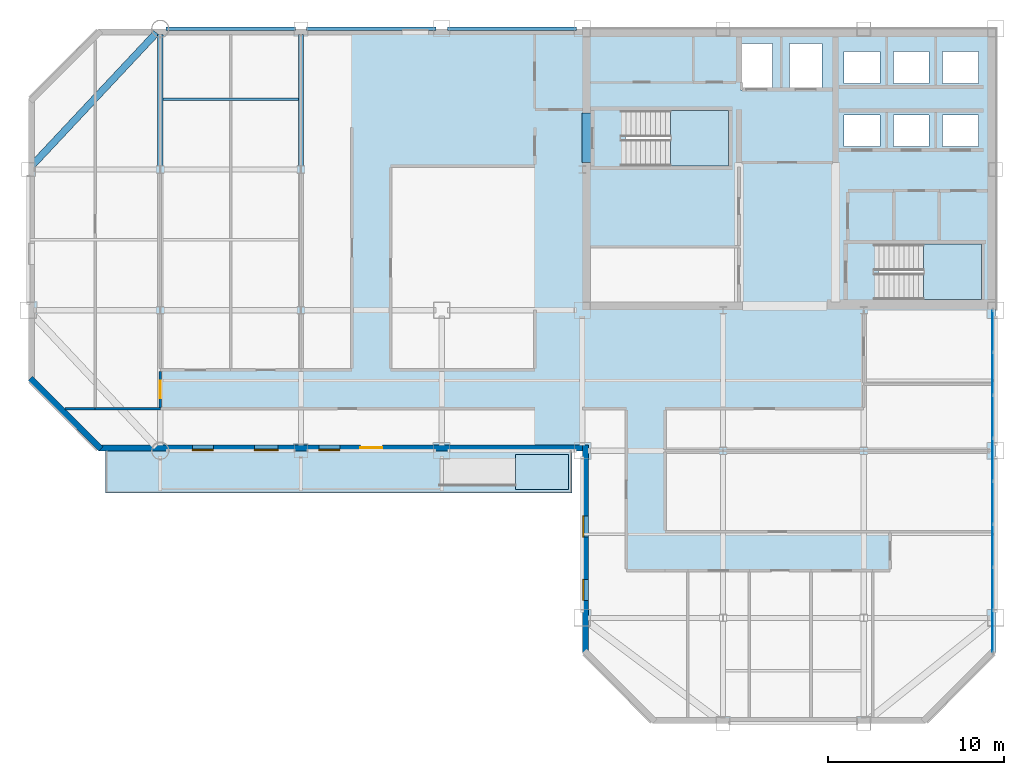
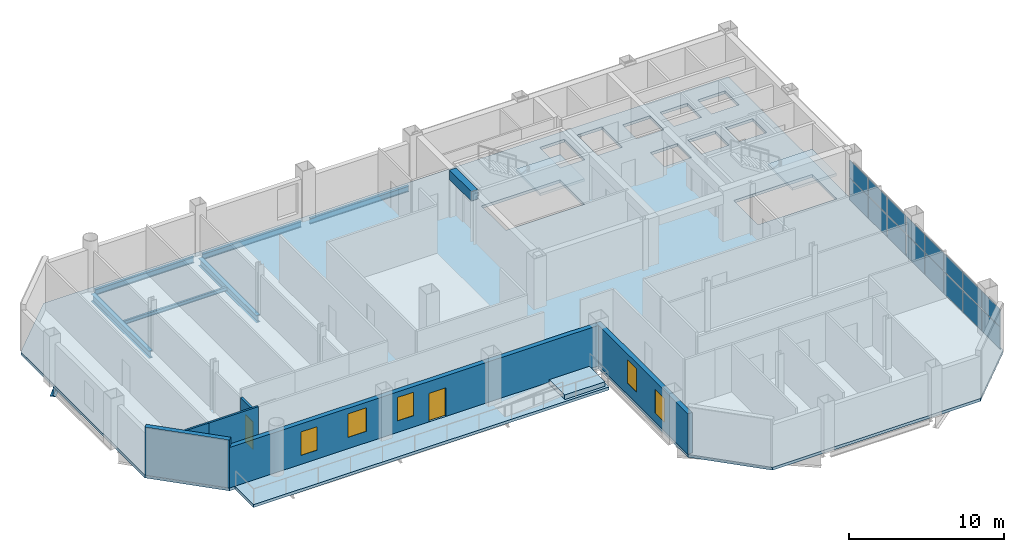
# One storey, part 7 of 14: 16 plates, 8 beams, 6 walls, 5 slabs, 5 windows, 2 doors, 7 openings, 4 elements without a shape of their own.
"""IFC4 building model written with IfcOpenShell, lengths in metres."""

from ifc_helpers import new_model, si_unit, direction, frame, frame_2d, origin, origin_2d, place, context, subcontext, project, spatial, polyline, rectangle, i_section, outline, extrude, material, layer, layer_set, material_profile, profile_set, type_object, element, fill, aggregate, save


model = new_model("IFC4")

# Units and contexts
model_context = context("Model", 3, precision=1e-05, world=origin(), true_north=direction((0.0, 1.0)))
body_context = subcontext(model_context, "Body", "Model", "MODEL_VIEW")
ifc_project = project(units=[si_unit("LENGTHUNIT", "METRE"), si_unit("AREAUNIT", "SQUARE_METRE"), si_unit("VOLUMEUNIT", "CUBIC_METRE"), si_unit("PLANEANGLEUNIT", "RADIAN"), si_unit("MASSUNIT", "GRAM", prefix="KILO")], contexts=[model_context])

# Site, building, storey
site_placement = place(None, origin())
site = spatial("IfcSite", under=ifc_project, at=site_placement, CompositionType="ELEMENT")
building_placement = place(site_placement, origin())
building = spatial("IfcBuilding", under=site, at=building_placement, Name="Qianrong Seaharbour Tower", CompositionType="ELEMENT")
storey_placement = place(building_placement, frame((0.0, 0.0, 209.800048828125)))
storey = spatial("IfcBuildingStorey", under=building, at=storey_placement, Name="L50", CompositionType="ELEMENT", Elevation=209.800048828125)

# Beams
ifc_material_1 = material(Name="Structural steel SN490B", Category="steel")
ifc_material_profile_1 = material_profile(ifc_material_1, i_section(OverallWidth=0.300048828125, OverallDepth=0.587890625, WebThickness=0.011962890625, FlangeThickness=0.02001953125, FilletRadius=0.02392578125, at=origin_2d()), Name="H588x300x12x20")
ifc_profile_set_1 = profile_set([ifc_material_profile_1], Name="Structural steel SN490B")
beam_type_1 = type_object("IfcBeamType", Name="BM-G-588", PredefinedType="BEAM", material=ifc_profile_set_1)
for number, where, z_axis, x_axis, name in (
    (1, (16.5, 44.199951171875, -0.51904296875), (0.0, 1.0, 0.0), (-1.0, 0.0, 0.0), "L50 Primary Girder G3 GG-GH"),
    (2, (24.5, 44.199951171875, -0.51904296875), (0.0, 1.0, 0.0), (-1.0, 0.0, 0.0), "L50 Primary Girder G4 GG-GH"),
):
    element("IfcBeam", number, at=place(storey_placement, frame(where, z_axis=z_axis, x_axis=x_axis)), inside=storey, type_object=beam_type_1, Name=name, PredefinedType="BEAM", context=body_context, shape_type="SweptSolid", body=[
        extrude(i_section(OverallWidth=0.300048828125, OverallDepth=0.587890625, WebThickness=0.011962890625, FlangeThickness=0.02001953125, FilletRadius=0.02392578125, at=origin_2d()), origin(), (0.0, 0.0, 1.0), 7.47998046875),
    ])
ifc_material_2 = material(Name="Structural steel SN400B", Category="steel")
ifc_material_profile_2 = material_profile(ifc_material_2, i_section(OverallWidth=0.14990234375, OverallDepth=0.300048828125, WebThickness=0.006591796875, FlangeThickness=0.009033203125, FilletRadius=0.012939453125, at=origin_2d()), Name="H300x150x6.5x9")
ifc_profile_set_2 = profile_set([ifc_material_profile_2], Name="Structural steel SN400B")
beam_type_2 = type_object("IfcBeamType", Name="BM-J-300", PredefinedType="JOIST", material=ifc_profile_set_2)
beam_1_placement = place(storey_placement, frame((16.64990234375, 48.0, -0.375), z_axis=(1.0, 0.0, 0.0), x_axis=(0.0, 1.0, 0.0)))
element("IfcBeam", 3, at=beam_1_placement, inside=storey, type_object=beam_type_2, Name="L50 Composite Floor Joist G3-G4/GG-GH", PredefinedType="JOIST", context=body_context, shape_type="SweptSolid", body=[
    extrude(i_section(OverallWidth=0.14990234375, OverallDepth=0.300048828125, WebThickness=0.006591796875, FlangeThickness=0.009033203125, FilletRadius=0.012939453125, at=origin_2d()), origin(), (0.0, 0.0, 1.0), 7.7001953125),
])
ifc_material_3 = material(Name="Concrete C60/75", Category="concrete")
ifc_material_profile_3 = material_profile(ifc_material_3, rectangle(XDim=0.5, YDim=0.75, at=origin_2d()), Name="RC500x750")
ifc_profile_set_3 = profile_set([ifc_material_profile_3], Name="Concrete C60/75")
beam_type_3 = type_object("IfcBeamType", Name="BM-LINTEL-750", PredefinedType="LINTEL", material=ifc_profile_set_3)
beam_2_placement = place(storey_placement, frame((40.72998046875, 44.39990234375, 3.39990234375), z_axis=(0.0, 1.0, 0.0), x_axis=(-1.0, 0.0, 0.0)))
element("IfcBeam", 4, at=beam_2_placement, inside=storey, type_object=beam_type_3, Name="L50 Core Coupling Lintel Beam West", PredefinedType="LINTEL", context=body_context, shape_type="SweptSolid", body=[
    extrude(rectangle(XDim=0.5, YDim=0.75, at=origin_2d()), origin(), (0.0, 0.0, 1.0), 2.800048828125),
])
ifc_material_profile_4 = material_profile(ifc_material_2, i_section(OverallWidth=0.199951171875, OverallDepth=0.449951171875, WebThickness=0.009033203125, FlangeThickness=0.013916015625, FilletRadius=0.01806640625, at=origin_2d()), Name="H450x200x9x14")
ifc_profile_set_4 = profile_set([ifc_material_profile_4], Name="Structural steel SN400B")
beam_type_4 = type_object("IfcBeamType", Name="BM-SP-450", PredefinedType="SPANDREL", material=ifc_profile_set_4)
for number, where, z_axis, x_axis, name in (
    (5, (16.820068359375, 52.0, -0.449951171875), (1.0, 0.0, 0.0), (0.0, 1.0, 0.0), "L50 Spandrel Girder GH G3-G4"),
    (6, (24.820068359375, 52.0, -0.449951171875), (1.0, 0.0, 0.0), (0.0, 1.0, 0.0), "L50 Spandrel Girder GH G4-G5"),
    (7, (32.820068359375, 52.0, -0.449951171875), (1.0, 0.0, 0.0), (0.0, 1.0, 0.0), "L50 Spandrel Girder GH G5-G6"),
):
    element("IfcBeam", number, at=place(storey_placement, frame(where, z_axis=z_axis, x_axis=x_axis)), inside=storey, type_object=beam_type_4, Name=name, PredefinedType="SPANDREL", context=body_context, shape_type="SweptSolid", body=[
        extrude(i_section(OverallWidth=0.199951171875, OverallDepth=0.449951171875, WebThickness=0.009033203125, FlangeThickness=0.013916015625, FilletRadius=0.01806640625, at=origin_2d()), origin(), (0.0, 0.0, 1.0), 7.35986328125),
    ])
ifc_material_profile_5 = material_profile(ifc_material_1, i_section(OverallWidth=0.39990234375, OverallDepth=1.10009765625, WebThickness=0.02001953125, FlangeThickness=0.035888671875, at=origin_2d()), Name="BH1100x400x20x36")
ifc_profile_set_5 = profile_set([ifc_material_profile_5], Name="Structural steel SN490B")
beam_type_5 = type_object("IfcBeamType", Name="BM-TG-1100", PredefinedType="BEAM", material=ifc_profile_set_5)
beam_3_placement = place(storey_placement, frame((16.28125, 51.7666015625, -0.775146484375), z_axis=(-0.683947420573, -0.729531305628, 0.0), x_axis=(0.729531305628, -0.683947420573, 0.0)))
element("IfcBeam", 8, at=beam_3_placement, inside=storey, type_object=beam_type_5, Name="L50 Chamfer Corner Spandrel Girder G2/GH", PredefinedType="BEAM", context=body_context, shape_type="SweptSolid", body=[
    extrude(i_section(OverallWidth=0.39990234375, OverallDepth=1.10009765625, WebThickness=0.02001953125, FlangeThickness=0.035888671875, at=origin_2d()), origin(), (0.0, 0.0, 1.0), 10.326171875),
])

# Curtain wall, plates
ifc_material_4 = material(Name="Anodised aluminium 6063-T6 and laminated low-e glass", Category="aluminium")
ifc_layer_1 = layer(ifc_material_4, 0.195068359375)
ifc_layer_set_1 = layer_set([ifc_layer_1], Name="Anodised aluminium 6063-T6 and laminated low-e glass")
curtain_wall_type = type_object("IfcCurtainWallType", Name="CW-SYS-3", PredefinedType="NOTDEFINED", material=ifc_layer_set_1)
curtain_wall_placement = place(storey_placement, origin())
curtain_wall = element("IfcCurtainWall", 9, at=curtain_wall_placement, inside=storey, type_object=curtain_wall_type, Name="L50 Sky-Garden Wintergarden Curtain Wall EAST_WING", PredefinedType="NOTDEFINED")
ifc_material_5 = material(Name="Laminated solar-control low-e glass", Category="glass")
ifc_layer_2 = layer(ifc_material_5, 0.031982421875)
ifc_layer_set_2 = layer_set([ifc_layer_2], Name="Laminated solar-control low-e glass")
plate_type = type_object("IfcPlateType", Name="CW-PAN-VISION-32", PredefinedType="CURTAIN_PANEL", material=ifc_layer_set_2)
plate_1_placement = place(storey_placement, frame((63.830078125, 34.810546875, 0.06494140625), z_axis=(0.0, 0.0, 1.0), x_axis=(0.0, -1.0, 0.0)))
plate_1 = element("IfcPlate", 10, at=plate_1_placement, type_object=plate_type, Name="CW-3 panel 1.1", PredefinedType="CURTAIN_PANEL", context=body_context, shape_type="SweptSolid", body=[
    extrude(rectangle(XDim=2.3388671875, YDim=0.031982421875, at=origin_2d()), origin(), (0.0, 0.0, 1.0), 1.709228515625),
])
plate_2_placement = place(storey_placement, frame((63.830078125, 34.810546875, 1.83935546875), z_axis=(0.0, 0.0, 1.0), x_axis=(0.0, -1.0, 0.0)))
plate_2 = element("IfcPlate", 11, at=plate_2_placement, type_object=plate_type, Name="CW-3 panel 1.2", PredefinedType="CURTAIN_PANEL", context=body_context, shape_type="SweptSolid", body=[
    extrude(rectangle(XDim=2.3388671875, YDim=0.031982421875, at=origin_2d()), origin(), (0.0, 0.0, 1.0), 1.380615234375),
])
plate_3_placement = place(storey_placement, frame((63.830078125, 32.38427734375, 0.06494140625), z_axis=(0.0, 0.0, 1.0), x_axis=(0.0, -1.0, 0.0)))
plate_3 = element("IfcPlate", 12, at=plate_3_placement, type_object=plate_type, Name="CW-3 panel 2.1", PredefinedType="CURTAIN_PANEL", context=body_context, shape_type="SweptSolid", body=[
    extrude(rectangle(XDim=2.373779296875, YDim=0.031982421875, at=origin_2d()), origin(), (0.0, 0.0, 1.0), 1.709228515625),
])
plate_4_placement = place(storey_placement, frame((63.830078125, 32.38427734375, 1.83935546875), z_axis=(0.0, 0.0, 1.0), x_axis=(0.0, -1.0, 0.0)))
plate_4 = element("IfcPlate", 13, at=plate_4_placement, type_object=plate_type, Name="CW-3 panel 2.2", PredefinedType="CURTAIN_PANEL", context=body_context, shape_type="SweptSolid", body=[
    extrude(rectangle(XDim=2.373779296875, YDim=0.031982421875, at=origin_2d()), origin(), (0.0, 0.0, 1.0), 1.380615234375),
])
plate_5_placement = place(storey_placement, frame((63.830078125, 29.940673828125, 0.06494140625), z_axis=(0.0, 0.0, 1.0), x_axis=(0.0, -1.0, 0.0)))
plate_5 = element("IfcPlate", 14, at=plate_5_placement, type_object=plate_type, Name="CW-3 panel 3.1", PredefinedType="CURTAIN_PANEL", context=body_context, shape_type="SweptSolid", body=[
    extrude(rectangle(XDim=2.373779296875, YDim=0.031982421875, at=origin_2d()), origin(), (0.0, 0.0, 1.0), 1.709228515625),
])
plate_6_placement = place(storey_placement, frame((63.830078125, 29.940673828125, 1.83935546875), z_axis=(0.0, 0.0, 1.0), x_axis=(0.0, -1.0, 0.0)))
plate_6 = element("IfcPlate", 15, at=plate_6_placement, type_object=plate_type, Name="CW-3 panel 3.2", PredefinedType="CURTAIN_PANEL", context=body_context, shape_type="SweptSolid", body=[
    extrude(rectangle(XDim=2.373779296875, YDim=0.031982421875, at=origin_2d()), origin(), (0.0, 0.0, 1.0), 1.380615234375),
])
plate_7_placement = place(storey_placement, frame((63.830078125, 27.496826171875, 0.06494140625), z_axis=(0.0, 0.0, 1.0), x_axis=(0.0, -1.0, 0.0)))
plate_7 = element("IfcPlate", 16, at=plate_7_placement, type_object=plate_type, Name="CW-3 panel 4.1", PredefinedType="CURTAIN_PANEL", context=body_context, shape_type="SweptSolid", body=[
    extrude(rectangle(XDim=2.373779296875, YDim=0.031982421875, at=origin_2d()), origin(), (0.0, 0.0, 1.0), 1.709228515625),
])
plate_8_placement = place(storey_placement, frame((63.830078125, 27.496826171875, 1.83935546875), z_axis=(0.0, 0.0, 1.0), x_axis=(0.0, -1.0, 0.0)))
plate_8 = element("IfcPlate", 17, at=plate_8_placement, type_object=plate_type, Name="CW-3 panel 4.2", PredefinedType="CURTAIN_PANEL", context=body_context, shape_type="SweptSolid", body=[
    extrude(rectangle(XDim=2.373779296875, YDim=0.031982421875, at=origin_2d()), origin(), (0.0, 0.0, 1.0), 1.380615234375),
])
plate_9_placement = place(storey_placement, frame((63.830078125, 25.05322265625, 0.06494140625), z_axis=(0.0, 0.0, 1.0), x_axis=(0.0, -1.0, 0.0)))
plate_9 = element("IfcPlate", 18, at=plate_9_placement, type_object=plate_type, Name="CW-3 panel 5.1", PredefinedType="CURTAIN_PANEL", context=body_context, shape_type="SweptSolid", body=[
    extrude(rectangle(XDim=2.373779296875, YDim=0.031982421875, at=origin_2d()), origin(), (0.0, 0.0, 1.0), 1.709228515625),
])
plate_10_placement = place(storey_placement, frame((63.830078125, 25.05322265625, 1.83935546875), z_axis=(0.0, 0.0, 1.0), x_axis=(0.0, -1.0, 0.0)))
plate_10 = element("IfcPlate", 19, at=plate_10_placement, type_object=plate_type, Name="CW-3 panel 5.2", PredefinedType="CURTAIN_PANEL", context=body_context, shape_type="SweptSolid", body=[
    extrude(rectangle(XDim=2.373779296875, YDim=0.031982421875, at=origin_2d()), origin(), (0.0, 0.0, 1.0), 1.380615234375),
])
plate_11_placement = place(storey_placement, frame((63.830078125, 22.609375, 0.06494140625), z_axis=(0.0, 0.0, 1.0), x_axis=(0.0, -1.0, 0.0)))
plate_11 = element("IfcPlate", 20, at=plate_11_placement, type_object=plate_type, Name="CW-3 panel 6.1", PredefinedType="CURTAIN_PANEL", context=body_context, shape_type="SweptSolid", body=[
    extrude(rectangle(XDim=2.373779296875, YDim=0.031982421875, at=origin_2d()), origin(), (0.0, 0.0, 1.0), 1.709228515625),
])
plate_12_placement = place(storey_placement, frame((63.830078125, 22.609375, 1.83935546875), z_axis=(0.0, 0.0, 1.0), x_axis=(0.0, -1.0, 0.0)))
plate_12 = element("IfcPlate", 21, at=plate_12_placement, type_object=plate_type, Name="CW-3 panel 6.2", PredefinedType="CURTAIN_PANEL", context=body_context, shape_type="SweptSolid", body=[
    extrude(rectangle(XDim=2.373779296875, YDim=0.031982421875, at=origin_2d()), origin(), (0.0, 0.0, 1.0), 1.380615234375),
])
plate_13_placement = place(storey_placement, frame((63.830078125, 20.16552734375, 0.06494140625), z_axis=(0.0, 0.0, 1.0), x_axis=(0.0, -1.0, 0.0)))
plate_13 = element("IfcPlate", 22, at=plate_13_placement, type_object=plate_type, Name="CW-3 panel 7.1", PredefinedType="CURTAIN_PANEL", context=body_context, shape_type="SweptSolid", body=[
    extrude(rectangle(XDim=2.373779296875, YDim=0.031982421875, at=origin_2d()), origin(), (0.0, 0.0, 1.0), 1.709228515625),
])
plate_14_placement = place(storey_placement, frame((63.830078125, 20.16552734375, 1.83935546875), z_axis=(0.0, 0.0, 1.0), x_axis=(0.0, -1.0, 0.0)))
plate_14 = element("IfcPlate", 23, at=plate_14_placement, type_object=plate_type, Name="CW-3 panel 7.2", PredefinedType="CURTAIN_PANEL", context=body_context, shape_type="SweptSolid", body=[
    extrude(rectangle(XDim=2.373779296875, YDim=0.031982421875, at=origin_2d()), origin(), (0.0, 0.0, 1.0), 1.380615234375),
])
plate_15_placement = place(storey_placement, frame((63.830078125, 17.7392578125, 0.06494140625), z_axis=(0.0, 0.0, 1.0), x_axis=(0.0, -1.0, 0.0)))
plate_15 = element("IfcPlate", 24, at=plate_15_placement, type_object=plate_type, Name="CW-3 panel 8.1", PredefinedType="CURTAIN_PANEL", context=body_context, shape_type="SweptSolid", body=[
    extrude(rectangle(XDim=2.3388671875, YDim=0.031982421875, at=origin_2d()), origin(), (0.0, 0.0, 1.0), 1.709228515625),
])
plate_16_placement = place(storey_placement, frame((63.830078125, 17.7392578125, 1.83935546875), z_axis=(0.0, 0.0, 1.0), x_axis=(0.0, -1.0, 0.0)))
plate_16 = element("IfcPlate", 25, at=plate_16_placement, type_object=plate_type, Name="CW-3 panel 8.2", PredefinedType="CURTAIN_PANEL", context=body_context, shape_type="SweptSolid", body=[
    extrude(rectangle(XDim=2.3388671875, YDim=0.031982421875, at=origin_2d()), origin(), (0.0, 0.0, 1.0), 1.380615234375),
])
aggregate(curtain_wall, [plate_1, plate_2, plate_3, plate_4, plate_5, plate_6, plate_7, plate_8, plate_9, plate_10, plate_11, plate_12, plate_13, plate_14, plate_15, plate_16])

# Ramp, slab
ifc_material_6 = material(Name="White architectural precast concrete C45/55", Category="concrete")
ramp_type = type_object("IfcRampType", Name="RAMP-RIBBON-GARDEN", PredefinedType="STRAIGHT_RUN_RAMP", material=ifc_material_6)
ramp_placement = place(storey_placement, origin())
ramp = element("IfcRamp", 26, at=ramp_placement, inside=storey, type_object=ramp_type, Name="L50 Harbourfront Garden Ribbon Ramp", PredefinedType="STRAIGHT_RUN_RAMP")
ifc_layer_3 = layer(ifc_material_6, 0.360107421875)
ifc_layer_set_3 = layer_set([ifc_layer_3], Name="White architectural precast concrete C45/55")
slab_type_1 = type_object("IfcSlabType", Name="SLAB-RAMP-LANDING-220", PredefinedType="LANDING", material=ifc_layer_set_3)
slab_1_placement = place(storey_placement, origin())
slab_1 = element("IfcSlab", 27, at=slab_1_placement, type_object=slab_type_1, Name="L50 Harbourfront Ribbon Raised Garden Landing", PredefinedType="LANDING", context=body_context, shape_type="SweptSolid", body=[
    extrude(outline(polyline([(36.699951171875, 25.800048828125), (39.699951171875, 25.800048828125), (39.699951171875, 27.800048828125), (36.699951171875, 27.800048828125), (36.699951171875, 25.800048828125)])), origin(), (0.0, 0.0, 1.0), 0.35986328125),
])
aggregate(ramp, [slab_1])

# Slab
ifc_layer_4 = layer(ifc_material_6, 0.22509765625)
ifc_layer_set_4 = layer_set([ifc_layer_4], Name="White architectural precast concrete C45/55")
slab_type_2 = type_object("IfcSlabType", Name="SLAB-RIBBON-225", PredefinedType="FLOOR", material=ifc_layer_set_4)
slab_2_placement = place(storey_placement, frame((0.0, 0.0, -0.22509765625)))
element("IfcSlab", 28, at=slab_2_placement, inside=storey, type_object=slab_type_2, Name="L50 Harbourfront White Precast Ribbon Gallery Slab", PredefinedType="FLOOR", context=body_context, shape_type="SweptSolid", body=[
    extrude(outline(polyline([(13.39990234375, 25.60009765625), (39.89990234375, 25.60009765625), (39.89990234375, 28.0), (13.39990234375, 28.0), (13.39990234375, 25.60009765625)])), origin(), (0.0, 0.0, 1.0), 0.22509765625),
])

# Stair, slab
ifc_material_7 = material(Name="Concrete C50/60", Category="concrete")
stair_type = type_object("IfcStairType", Name="STAIR-DOGLEG-1500-R22", PredefinedType="HALF_TURN_STAIR", material=ifc_material_7)
stair_1_placement = place(storey_placement, origin())
stair_1 = element("IfcStair", 29, at=stair_1_placement, inside=storey, type_object=stair_type, Name="L50 Protected Escape Stair ST-1", PredefinedType="HALF_TURN_STAIR")
ifc_layer_5 = layer(ifc_material_7, 0.199951171875)
ifc_layer_set_5 = layer_set([ifc_layer_5], Name="Concrete C50/60")
slab_type_3 = type_object("IfcSlabType", Name="SLAB-STAIR-LANDING-200", PredefinedType="LANDING", material=ifc_layer_set_5)
slab_3_placement = place(storey_placement, frame((0.0, 0.0, 1.800048828125)))
slab_3 = element("IfcSlab", 30, at=slab_3_placement, type_object=slab_type_3, Name="ST-1 landing 1", PredefinedType="LANDING", context=body_context, shape_type="SweptSolid", body=[
    extrude(outline(polyline([(45.5, 44.199951171875), (48.800048828125, 44.199951171875), (48.800048828125, 47.35009765625), (45.5, 47.35009765625), (45.5, 44.199951171875)])), origin(), (0.0, 0.0, 1.0), 0.199951171875),
])
aggregate(stair_1, [slab_3])

stair_2_placement = place(storey_placement, origin())
stair_2 = element("IfcStair", 31, at=stair_2_placement, inside=storey, type_object=stair_type, Name="L50 Protected Escape Stair ST-2", PredefinedType="HALF_TURN_STAIR")
slab_4_placement = place(storey_placement, frame((0.0, 0.0, 1.800048828125)))
slab_4 = element("IfcSlab", 32, at=slab_4_placement, type_object=slab_type_3, Name="ST-2 landing 1", PredefinedType="LANDING", context=body_context, shape_type="SweptSolid", body=[
    extrude(outline(polyline([(59.89990234375, 36.60009765625), (63.199951171875, 36.60009765625), (63.199951171875, 39.75), (59.89990234375, 39.75), (59.89990234375, 36.60009765625)])), origin(), (0.0, 0.0, 1.0), 0.199951171875),
])
aggregate(stair_2, [slab_4])

# Slab
ifc_layer_6 = layer(ifc_material_7, 0.22509765625)
ifc_layer_set_6 = layer_set([ifc_layer_6], Name="Concrete C50/60")
slab_type_4 = type_object("IfcSlabType", Name="SLAB-Z3-225", PredefinedType="FLOOR", material=ifc_layer_set_6)
slab_5_placement = place(storey_placement, frame((0.0, 0.0, -0.22509765625)))
element("IfcSlab", 33, at=slab_5_placement, inside=storey, type_object=slab_type_4, Name="L50 Structural Floor Slab", PredefinedType="FLOOR", context=body_context, shape_type="SweptSolid", body=[
    extrude(outline(polyline([(44.5, 12.5), (60.0, 12.5), (64.0, 16.5), (64.0, 52.0), (13.0, 52.0), (9.0, 48.0), (9.0, 32.0), (13.0, 28.0), (40.5, 28.0), (40.5, 16.5), (44.5, 12.5)]), holes=[polyline([(42.93994140625, 44.199951171875), (42.93994140625, 47.35009765625), (48.800048828125, 47.35009765625), (48.800048828125, 44.199951171875), (42.93994140625, 44.199951171875)]), polyline([(57.340087890625, 36.60009765625), (57.340087890625, 39.75), (63.199951171875, 39.75), (63.199951171875, 36.60009765625), (57.340087890625, 36.60009765625)]), polyline([(49.47998046875, 48.530029296875), (49.47998046875, 51.169921875), (51.320068359375, 51.169921875), (51.320068359375, 48.530029296875), (49.47998046875, 48.530029296875)]), polyline([(52.280029296875, 48.530029296875), (52.280029296875, 51.169921875), (54.1201171875, 51.169921875), (54.1201171875, 48.530029296875), (52.280029296875, 48.530029296875)]), polyline([(55.3798828125, 45.300048828125), (55.3798828125, 47.10009765625), (57.419921875, 47.10009765625), (57.419921875, 45.300048828125), (55.3798828125, 45.300048828125)]), polyline([(58.179931640625, 45.300048828125), (58.179931640625, 47.10009765625), (60.219970703125, 47.10009765625), (60.219970703125, 45.300048828125), (58.179931640625, 45.300048828125)]), polyline([(60.97998046875, 45.300048828125), (60.97998046875, 47.10009765625), (63.02001953125, 47.10009765625), (63.02001953125, 45.300048828125), (60.97998046875, 45.300048828125)]), polyline([(55.3798828125, 48.89990234375), (55.3798828125, 50.699951171875), (57.419921875, 50.699951171875), (57.419921875, 48.89990234375), (55.3798828125, 48.89990234375)]), polyline([(58.179931640625, 48.89990234375), (58.179931640625, 50.699951171875), (60.219970703125, 50.699951171875), (60.219970703125, 48.89990234375), (58.179931640625, 48.89990234375)]), polyline([(60.97998046875, 48.89990234375), (60.97998046875, 50.699951171875), (63.02001953125, 50.699951171875), (63.02001953125, 48.89990234375), (60.97998046875, 48.89990234375)])]), origin(), (0.0, 0.0, 1.0), 0.22509765625),
])

# Wall, opening, door
ifc_material_8 = material(Name="Fire-rated acoustic gypsum board partition")
ifc_layer_7 = layer(ifc_material_8, 0.1650390625)
ifc_layer_set_7 = layer_set([ifc_layer_7], Name="Fire-rated acoustic gypsum board partition")
wall_type_1 = type_object("IfcWallType", Name="WALL-CORR-PART-165", PredefinedType="PARTITIONING", material=ifc_layer_set_7)
wall_1_placement = place(storey_placement, frame((16.5, 30.474609375, 0.0), z_axis=(0.0, 0.0, 1.0), x_axis=(0.0, 1.0, 0.0)))
wall_1 = element("IfcWall", 34, at=wall_1_placement, inside=storey, type_object=wall_type_1, Name="L50 Interior Partition Wall 018", PredefinedType="PARTITIONING", context=body_context, shape_type="SweptSolid", body=[
    extrude(rectangle(XDim=2.05078125, YDim=0.1650390625, at=frame_2d((1.025390625, 0.0))), origin(), (0.0, 0.0, 1.0), 3.178955078125),
])
opening_1_placement = place(wall_1_placement, frame((0.525390625, 0.0, 0.0)))
opening_1 = element("IfcOpeningElement", 35, at=opening_1_placement, cuts=wall_1, Name="Opening DO-01", PredefinedType="OPENING", context=body_context, shape_type="SweptSolid", body=[
    extrude(rectangle(XDim=1.0, YDim=2.14990234375, at=frame_2d((0.5, 1.074951171875))), frame((0.0, 0.092529296875, 0.0), z_axis=(0.0, -1.0, 0.0), x_axis=(1.0, 0.0, 0.0)), (0.0, 0.0, 1.0), 0.18505859375),
])
ifc_material_9 = material(Name="Acoustic timber and galvanized steel fire door assembly", Category="steel")
door_type_1 = type_object("IfcDoorType", Name="DOOR-OFFICE-1000x2150", OperationType="NOTDEFINED", PredefinedType="DOOR", material=ifc_material_9)
door_1_placement = place(opening_1_placement, origin())
door_1 = element("IfcDoor", 36, at=door_1_placement, inside=storey, type_object=door_type_1, Name="L50 Focus Room 2 Door", OperationType="SINGLE_SWING_RIGHT", OverallHeight=2.14990234375, OverallWidth=1.0, PredefinedType="DOOR", context=body_context, shape_type="SweptSolid", body=[
    extrude(rectangle(XDim=1.0, YDim=2.14990234375, at=frame_2d((0.5, 1.074951171875))), frame((0.0, 0.02490234375, 0.0), z_axis=(0.0, -1.0, 0.0), x_axis=(1.0, 0.0, 0.0)), (0.0, 0.0, 1.0), 0.050048828125),
])
fill(opening_1, door_1)

# Wall, openings, windows
ifc_material_10 = material(Name="Unitised buff brick on Precast concrete C45/55", Category="masonry")
ifc_layer_8 = layer(ifc_material_10, 0.340087890625)
ifc_layer_set_8 = layer_set([ifc_layer_8], Name="Unitised buff brick on Precast concrete C45/55")
wall_type_2 = type_object("IfcWallType", Name="WALL-EXT-BRICK-BUFF-340", PredefinedType="SOLIDWALL", material=ifc_layer_set_8)
wall_2_placement = place(storey_placement, frame((40.669921875, 16.5, 0.0), z_axis=(0.0, 0.0, 1.0), x_axis=(0.0, 1.0, 0.0)))
wall_2 = element("IfcWall", 37, at=wall_2_placement, inside=storey, type_object=wall_type_2, Name="L50 Exterior Masonry Facade Wall REENTRANT_WEST", PredefinedType="SOLIDWALL", context=body_context, shape_type="SweptSolid", body=[
    extrude(rectangle(XDim=11.840087890625, YDim=0.340087890625, at=frame_2d((5.919921875, 0.0))), origin(), (0.0, 0.0, 1.0), 3.18701171875),
])
opening_2_placement = place(wall_2_placement, frame((3.0, 0.0, 0.699951171875)))
opening_2 = element("IfcOpeningElement", 38, at=opening_2_placement, cuts=wall_2, Name="Opening WN-01", PredefinedType="OPENING", context=body_context, shape_type="SweptSolid", body=[
    extrude(rectangle(XDim=1.199951171875, YDim=1.85009765625, at=frame_2d((0.60009765625, 0.925048828125))), frame((0.0, 0.18017578125, 0.0), z_axis=(0.0, -1.0, 0.0), x_axis=(1.0, 0.0, 0.0)), (0.0, 0.0, 1.0), 0.360107421875),
])
opening_3_placement = place(wall_2_placement, frame((6.60009765625, 0.0, 0.89990234375)))
opening_3 = element("IfcOpeningElement", 39, at=opening_3_placement, cuts=wall_2, Name="Opening WN-01", PredefinedType="OPENING", context=body_context, shape_type="SweptSolid", body=[
    extrude(rectangle(XDim=1.199951171875, YDim=1.85009765625, at=frame_2d((0.60009765625, 0.925048828125))), frame((0.0, 0.18017578125, 0.0), z_axis=(0.0, -1.0, 0.0), x_axis=(1.0, 0.0, 0.0)), (0.0, 0.0, 1.0), 0.360107421875),
])
ifc_material_11 = material(Name="Insulated low-e double glazing in thermally broken aluminium 6063-T6 frame", Category="aluminium")
window_type_1 = type_object("IfcWindowType", Name="WIN-PUNCH-1200x1850", PartitioningType="DOUBLE_PANEL_VERTICAL", PredefinedType="WINDOW", material=ifc_material_11)
window_1_placement = place(opening_2_placement, origin())
window_1 = element("IfcWindow", 40, at=window_1_placement, inside=storey, type_object=window_type_1, Name="L50 Deep-Set Punched Window 00.01", OverallHeight=1.85009765625, OverallWidth=1.199951171875, PartitioningType="DOUBLE_PANEL_VERTICAL", PredefinedType="WINDOW", context=body_context, shape_type="SweptSolid", body=[
    extrude(rectangle(XDim=1.199951171875, YDim=1.85009765625, at=frame_2d((0.60009765625, 0.925048828125))), frame((0.0, 0.150146484375, 0.0), z_axis=(0.0, -1.0, 0.0), x_axis=(1.0, 0.0, 0.0)), (0.0, 0.0, 1.0), 0.06005859375),
])
fill(opening_2, window_1)
window_2_placement = place(opening_3_placement, origin())
window_2 = element("IfcWindow", 41, at=window_2_placement, inside=storey, type_object=window_type_1, Name="L50 Deep-Set Punched Window 00.02", OverallHeight=1.85009765625, OverallWidth=1.199951171875, PartitioningType="DOUBLE_PANEL_VERTICAL", PredefinedType="WINDOW", context=body_context, shape_type="SweptSolid", body=[
    extrude(rectangle(XDim=1.199951171875, YDim=1.85009765625, at=frame_2d((0.60009765625, 0.925048828125))), frame((0.0, 0.150146484375, 0.0), z_axis=(0.0, -1.0, 0.0), x_axis=(1.0, 0.0, 0.0)), (0.0, 0.0, 1.0), 0.06005859375),
])
fill(opening_3, window_2)

# Wall, openings, door, windows
wall_3_placement = place(storey_placement, frame((40.52001953125, 28.169921875, 0.0), z_axis=(0.0, 0.0, 1.0), x_axis=(-1.0, 0.0, 0.0)))
wall_3 = element("IfcWall", 42, at=wall_3_placement, inside=storey, type_object=wall_type_2, Name="L50 Exterior Masonry Facade Wall HARBOUR_RIBBON", PredefinedType="SOLIDWALL", context=body_context, shape_type="SweptSolid", body=[
    extrude(rectangle(XDim=27.52001953125, YDim=0.340087890625, at=frame_2d((13.760009765625, 0.0))), origin(), (0.0, 0.0, 1.0), 3.18701171875),
])
opening_4_placement = place(wall_3_placement, frame((13.800048828125, 0.0, 0.89990234375)))
opening_4 = element("IfcOpeningElement", 43, at=opening_4_placement, cuts=wall_3, Name="Opening WN-01", PredefinedType="OPENING", context=body_context, shape_type="SweptSolid", body=[
    extrude(rectangle(XDim=1.199951171875, YDim=1.85009765625, at=frame_2d((0.60009765625, 0.925048828125))), frame((0.0, 0.18017578125, 0.0), z_axis=(0.0, -1.0, 0.0), x_axis=(1.0, 0.0, 0.0)), (0.0, 0.0, 1.0), 0.360107421875),
])
opening_5_placement = place(wall_3_placement, frame((17.324951171875, 0.0, 0.89990234375)))
opening_5 = element("IfcOpeningElement", 44, at=opening_5_placement, cuts=wall_3, Name="Opening WN-02", PredefinedType="OPENING", context=body_context, shape_type="SweptSolid", body=[
    extrude(rectangle(XDim=1.35009765625, YDim=1.85009765625, at=frame_2d((0.675048828125, 0.925048828125))), frame((0.0, 0.18017578125, 0.0), z_axis=(0.0, -1.0, 0.0), x_axis=(1.0, 0.0, 0.0)), (0.0, 0.0, 1.0), 0.360107421875),
])
opening_6_placement = place(wall_3_placement, frame((21.0, 0.0, 0.699951171875)))
opening_6 = element("IfcOpeningElement", 45, at=opening_6_placement, cuts=wall_3, Name="Opening WN-01", PredefinedType="OPENING", context=body_context, shape_type="SweptSolid", body=[
    extrude(rectangle(XDim=1.199951171875, YDim=1.85009765625, at=frame_2d((0.60009765625, 0.925048828125))), frame((0.0, 0.18017578125, 0.0), z_axis=(0.0, -1.0, 0.0), x_axis=(1.0, 0.0, 0.0)), (0.0, 0.0, 1.0), 0.360107421875),
])
opening_7_placement = place(wall_3_placement, frame((11.39501953125, 0.0, 0.0)))
opening_7 = element("IfcOpeningElement", 46, at=opening_7_placement, cuts=wall_3, Name="Opening D-TER1", PredefinedType="OPENING", context=body_context, shape_type="SweptSolid", body=[
    extrude(rectangle(XDim=1.25, YDim=2.25, at=frame_2d((0.625, 1.125))), frame((0.0, 0.18017578125, 0.0), z_axis=(0.0, -1.0, 0.0), x_axis=(1.0, 0.0, 0.0)), (0.0, 0.0, 1.0), 0.360107421875),
])
ifc_material_12 = material(Name="Insulated galvanized steel and laminated glass door assembly", Category="steel")
door_type_2 = type_object("IfcDoorType", Name="DOOR-EXT-TERRACE-1250x2250", OperationType="NOTDEFINED", PredefinedType="DOOR", material=ifc_material_12)
door_2_placement = place(opening_7_placement, origin())
door_2 = element("IfcDoor", 47, at=door_2_placement, inside=storey, type_object=door_type_2, Name="L50 Harbourfront Ribbon Gallery Access Door", OperationType="SINGLE_SWING_LEFT", OverallHeight=2.25, OverallWidth=1.25, PredefinedType="DOOR", context=body_context, shape_type="SweptSolid", body=[
    extrude(rectangle(XDim=1.25, YDim=2.25, at=frame_2d((0.625, 1.125))), frame((0.0, 0.02490234375, 0.0), z_axis=(0.0, -1.0, 0.0), x_axis=(1.0, 0.0, 0.0)), (0.0, 0.0, 1.0), 0.050048828125),
])
fill(opening_7, door_2)
window_3_placement = place(opening_4_placement, origin())
window_3 = element("IfcWindow", 48, at=window_3_placement, inside=storey, type_object=window_type_1, Name="L50 Deep-Set Punched Window 01.04", OverallHeight=1.85009765625, OverallWidth=1.199951171875, PartitioningType="DOUBLE_PANEL_VERTICAL", PredefinedType="WINDOW", context=body_context, shape_type="SweptSolid", body=[
    extrude(rectangle(XDim=1.199951171875, YDim=1.85009765625, at=frame_2d((0.60009765625, 0.925048828125))), frame((0.0, 0.150146484375, 0.0), z_axis=(0.0, -1.0, 0.0), x_axis=(1.0, 0.0, 0.0)), (0.0, 0.0, 1.0), 0.06005859375),
])
fill(opening_4, window_3)
window_4_placement = place(opening_6_placement, origin())
window_4 = element("IfcWindow", 49, at=window_4_placement, inside=storey, type_object=window_type_1, Name="L50 Deep-Set Punched Window 01.06", OverallHeight=1.85009765625, OverallWidth=1.199951171875, PartitioningType="DOUBLE_PANEL_VERTICAL", PredefinedType="WINDOW", context=body_context, shape_type="SweptSolid", body=[
    extrude(rectangle(XDim=1.199951171875, YDim=1.85009765625, at=frame_2d((0.60009765625, 0.925048828125))), frame((0.0, 0.150146484375, 0.0), z_axis=(0.0, -1.0, 0.0), x_axis=(1.0, 0.0, 0.0)), (0.0, 0.0, 1.0), 0.06005859375),
])
fill(opening_6, window_4)
window_type_2 = type_object("IfcWindowType", Name="WIN-PUNCH-1350x1850", PartitioningType="DOUBLE_PANEL_VERTICAL", PredefinedType="WINDOW", material=ifc_material_11)
window_5_placement = place(opening_5_placement, origin())
window_5 = element("IfcWindow", 50, at=window_5_placement, inside=storey, type_object=window_type_2, Name="L50 Deep-Set Punched Window 01.05", OverallHeight=1.85009765625, OverallWidth=1.35009765625, PartitioningType="DOUBLE_PANEL_VERTICAL", PredefinedType="WINDOW", context=body_context, shape_type="SweptSolid", body=[
    extrude(rectangle(XDim=1.35009765625, YDim=1.85009765625, at=frame_2d((0.675048828125, 0.925048828125))), frame((0.0, 0.150146484375, 0.0), z_axis=(0.0, -1.0, 0.0), x_axis=(1.0, 0.0, 0.0)), (0.0, 0.0, 1.0), 0.06005859375),
])
fill(opening_5, window_5)

# Walls
wall_4_placement = place(storey_placement, frame((13.1201171875, 28.1201171875, 0.0), z_axis=(0.0, 0.0, 1.0), x_axis=(-0.707106781187, 0.707106781187, 0.0)))
element("IfcWall", 51, at=wall_4_placement, inside=storey, type_object=wall_type_2, Name="L50 Exterior Masonry Facade Wall E02", PredefinedType="SOLIDWALL", context=body_context, shape_type="SweptSolid", body=[
    extrude(rectangle(XDim=5.65673828125, YDim=0.340087890625, at=frame_2d((2.828369140625, 0.0))), origin(), (0.0, 0.0, 1.0), 3.77490234375),
])
ifc_material_13 = material(Name="Acoustic gypsum board stud partition")
ifc_layer_9 = layer(ifc_material_13, 0.14501953125)
ifc_layer_set_9 = layer_set([ifc_layer_9], Name="Acoustic gypsum board stud partition")
wall_type_3 = type_object("IfcWallType", Name="WALL-OFFICE-PART-145", PredefinedType="PARTITIONING", material=ifc_layer_set_9)
wall_5_placement = place(storey_placement, frame((12.800048828125, 30.39990234375, 0.0), z_axis=(0.0, 0.0, 1.0), x_axis=(-1.0, 0.0, 0.0)))
element("IfcWall", 52, at=wall_5_placement, inside=storey, type_object=wall_type_3, Name="L50 Interior Partition Wall 043", PredefinedType="PARTITIONING", context=body_context, shape_type="SweptSolid", body=[
    extrude(rectangle(XDim=1.73046875, YDim=0.14501953125, at=frame_2d((0.865234375, 0.0))), origin(), (0.0, 0.0, 1.0), 3.77490234375),
])
wall_6_placement = place(storey_placement, frame((16.5, 30.39990234375, 0.0), z_axis=(0.0, 0.0, 1.0), x_axis=(-1.0, 0.0, 0.0)))
element("IfcWall", 53, at=wall_6_placement, inside=storey, type_object=wall_type_3, Name="L50 Interior Partition Wall 045", PredefinedType="PARTITIONING", context=body_context, shape_type="SweptSolid", body=[
    extrude(rectangle(XDim=3.699951171875, YDim=0.14501953125, at=frame_2d((1.85009765625, 0.0))), origin(), (0.0, 0.0, 1.0), 3.77490234375),
])

save(model, "model.ifc")
